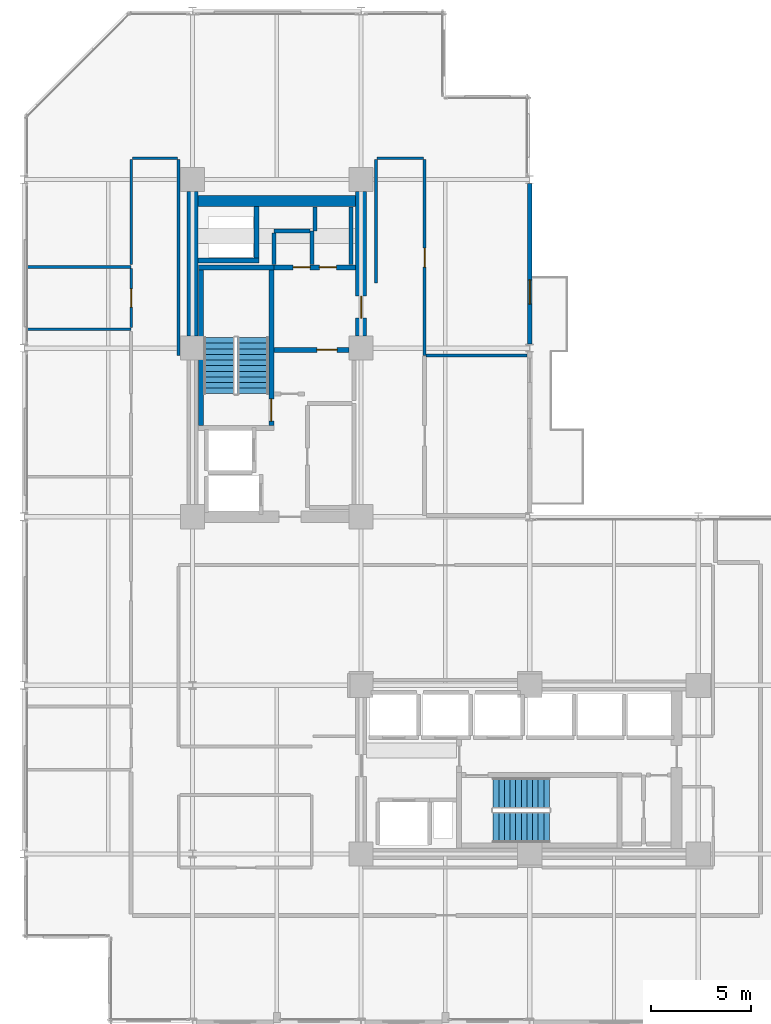
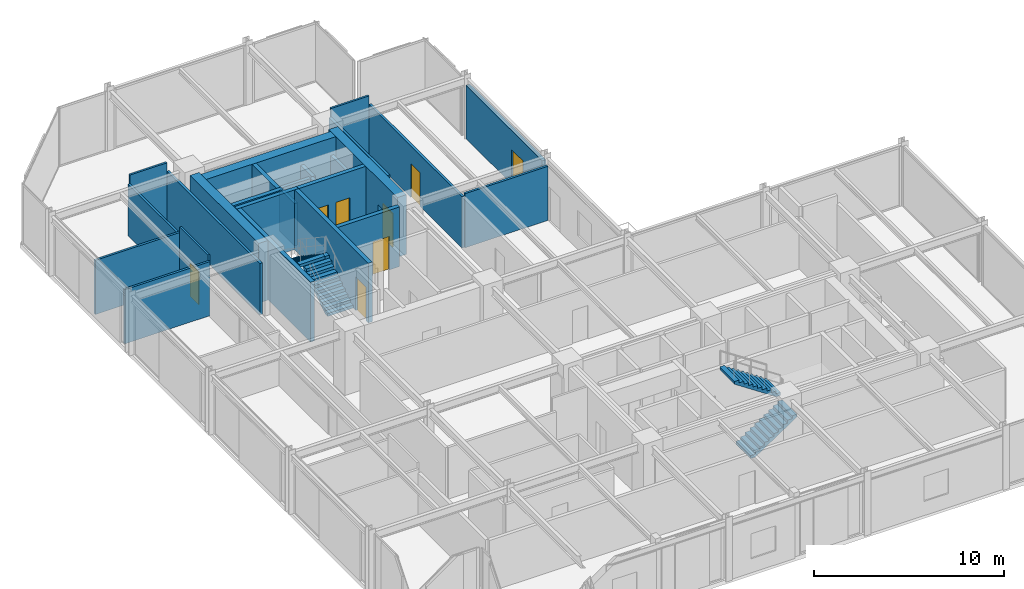
# One storey, part 26 of 29: 26 walls, 8 doors, 4 stair flights, 8 openings, 2 elements without a shape of their own.
"""IFC4 building model written with IfcOpenShell, lengths in metres."""

from ifc_helpers import new_model, si_unit, direction, frame, frame_2d, origin, place, context, subcontext, project, spatial, polyline, rectangle, outline, extrude, material, layer, layer_set, type_object, element, fill, aggregate, save


model = new_model("IFC4")

# Units and contexts
model_context = context("Model", 3, precision=1e-05, world=origin(), true_north=direction((0.0, 1.0)))
body_context = subcontext(model_context, "Body", "Model", "MODEL_VIEW")
ifc_project = project(units=[si_unit("LENGTHUNIT", "METRE"), si_unit("AREAUNIT", "SQUARE_METRE"), si_unit("VOLUMEUNIT", "CUBIC_METRE"), si_unit("PLANEANGLEUNIT", "RADIAN"), si_unit("MASSUNIT", "GRAM", prefix="KILO")], contexts=[model_context])

# Site, building, storey
site_placement = place(None, origin())
site = spatial("IfcSite", under=ifc_project, at=site_placement, CompositionType="ELEMENT")
building_placement = place(site_placement, origin())
building = spatial("IfcBuilding", under=site, at=building_placement, Name="Nerrivon Quay Data Exchange", CompositionType="ELEMENT")
storey_placement = place(building_placement, frame((0.0, 0.0, 137.699951171875)))
storey = spatial("IfcBuildingStorey", under=building, at=storey_placement, Name="L32", CompositionType="ELEMENT", Elevation=137.699951171875)

# Wall, opening, door
ifc_material_1 = material(Name="Architectural terracotta precast concrete N50 (50 MPa)", Category="masonry")
ifc_layer_1 = layer(ifc_material_1, 0.239990234375)
ifc_layer_set_1 = layer_set([ifc_layer_1], Name="Architectural terracotta precast concrete N50 (50 MPa)")
wall_type_1 = type_object("IfcWallType", Name="EW-PREC-240", PredefinedType="STANDARD", material=ifc_layer_set_1)
wall_1_placement = place(storey_placement, frame((25.199951171875, 41.800048828125, 0.0), z_axis=(0.0, 0.0, 1.0), x_axis=(0.0, -1.0, 0.0)))
wall_1 = element("IfcWall", 1, at=wall_1_placement, inside=storey, type_object=wall_type_1, Name="L32 Terrace Host Wall 24", PredefinedType="STANDARD", context=body_context, shape_type="SweptSolid", body=[
    extrude(rectangle(XDim=8.0, YDim=0.239990234375, at=frame_2d((4.0, 0.0))), origin(), (0.0, 0.0, 1.0), 3.422119140625),
])
opening_1_placement = place(wall_1_placement, frame((4.800048828125, 0.0, 0.0)))
opening_1 = element("IfcOpeningElement", 2, at=opening_1_placement, cuts=wall_1, Name="Opening TD1", PredefinedType="OPENING", context=body_context, shape_type="SweptSolid", body=[
    extrude(rectangle(XDim=1.199951171875, YDim=2.199951171875, at=frame_2d((0.60009765625, 1.10009765625))), frame((0.0, 0.1298828125, 0.0), z_axis=(0.0, -1.0, 0.0), x_axis=(1.0, 0.0, 0.0)), (0.0, 0.0, 1.0), 0.260009765625),
])
ifc_material_2 = material(Name="Double-glazed low-E solar control glass", Category="glass")
door_type_1 = type_object("IfcDoorType", Name="DR-TERR-1200x2200", OperationType="NOTDEFINED", PredefinedType="DOOR", material=ifc_material_2)
door_1_placement = place(opening_1_placement, origin())
door_1 = element("IfcDoor", 3, at=door_1_placement, inside=storey, type_object=door_type_1, Name="L32 Outdoor Terrace Access Door 24", OperationType="SINGLE_SWING_LEFT", OverallHeight=2.199951171875, OverallWidth=1.199951171875, PredefinedType="DOOR", context=body_context, shape_type="SweptSolid", body=[
    extrude(rectangle(XDim=1.199951171875, YDim=2.199951171875, at=frame_2d((0.60009765625, 1.10009765625))), frame((0.0, 0.02490234375, 0.0), z_axis=(0.0, -1.0, 0.0), x_axis=(1.0, 0.0, 0.0)), (0.0, 0.0, 1.0), 0.050048828125),
])
fill(opening_1, door_1)

# Walls
ifc_material_3 = material(Name="Concrete S65 (65 MPa)", Category="concrete")
ifc_layer_2 = layer(ifc_material_3, 0.550048828125)
ifc_layer_set_2 = layer_set([ifc_layer_2], Name="Concrete S65 (65 MPa)")
wall_type_2 = type_object("IfcWallType", Name="WALL-CW-700", PredefinedType="SHEAR", material=ifc_layer_set_2)
wall_2_placement = place(storey_placement, frame((8.39990234375, 34.199951171875, 0.0), z_axis=(0.0, 0.0, 1.0), x_axis=(0.0, 1.0, 0.0)))
element("IfcWall", 4, at=wall_2_placement, inside=storey, type_object=wall_type_2, Name="L32 West Split-Core Shear Wall WCW-W2", PredefinedType="SHEAR", context=body_context, shape_type="SweptSolid", body=[
    extrude(rectangle(XDim=7.199951171875, YDim=0.550048828125, at=frame_2d((3.60009765625, 0.0))), origin(), (0.0, 0.0, 1.0), 3.824951171875),
])
wall_3_placement = place(storey_placement, frame((8.675048828125, 40.925048828125, 0.0), z_axis=(0.0, 0.0, 1.0), x_axis=(1.0, 0.0, 0.0)))
element("IfcWall", 5, at=wall_3_placement, inside=storey, type_object=wall_type_2, Name="L32 West Split-Core Shear Wall WCW-N1", PredefinedType="SHEAR", context=body_context, shape_type="SweptSolid", body=[
    extrude(rectangle(XDim=7.849853515625, YDim=0.550048828125, at=frame_2d((3.9248046875, 0.0))), origin(), (0.0, 0.0, 1.0), 3.824951171875),
])

# Wall, opening, door
wall_4_placement = place(storey_placement, frame((16.800048828125, 34.199951171875, 0.0), z_axis=(0.0, 0.0, 1.0), x_axis=(0.0, 1.0, 0.0)))
wall_4 = element("IfcWall", 6, at=wall_4_placement, inside=storey, type_object=wall_type_2, Name="L32 West Split-Core Shear Wall WCW-E1", PredefinedType="SHEAR", context=body_context, shape_type="SweptSolid", body=[
    extrude(rectangle(XDim=7.199951171875, YDim=0.550048828125, at=frame_2d((3.60009765625, 0.0))), origin(), (0.0, 0.0, 1.0), 3.824951171875),
])
opening_2_placement = place(wall_4_placement, frame((0.89990234375, 0.0, 0.0)))
opening_2 = element("IfcOpeningElement", 7, at=opening_2_placement, cuts=wall_4, Name="Opening FD-120", PredefinedType="OPENING", context=body_context, shape_type="SweptSolid", body=[
    extrude(rectangle(XDim=1.10009765625, YDim=2.14990234375, at=frame_2d((0.550048828125, 1.074951171875))), frame((0.0, 0.284912109375, 0.0), z_axis=(0.0, -1.0, 0.0), x_axis=(1.0, 0.0, 0.0)), (0.0, 0.0, 1.0), 0.570068359375),
])
ifc_material_4 = material(Name="Powder-coated galvanized steel sheet", Category="steel")
door_type_2 = type_object("IfcDoorType", Name="DR-FD120-1100", OperationType="NOTDEFINED", PredefinedType="DOOR", material=ifc_material_4)
door_2_placement = place(opening_2_placement, origin())
door_2 = element("IfcDoor", 8, at=door_2_placement, inside=storey, type_object=door_type_2, Name="L32 West Core Lobby Fire Door", OperationType="SINGLE_SWING_LEFT", OverallHeight=2.14990234375, OverallWidth=1.10009765625, PredefinedType="DOOR", context=body_context, shape_type="SweptSolid", body=[
    extrude(rectangle(XDim=1.10009765625, YDim=2.14990234375, at=frame_2d((0.550048828125, 1.074951171875))), frame((0.0, 0.02490234375, 0.0), z_axis=(0.0, -1.0, 0.0), x_axis=(1.0, 0.0, 0.0)), (0.0, 0.0, 1.0), 0.050048828125),
])
fill(opening_2, door_2)

# Walls
ifc_material_5 = material(Name="Gypsum plasterboard on cold-formed framing", Category="gypsum")
ifc_layer_3 = layer(ifc_material_5, 0.199951171875)
ifc_layer_set_3 = layer_set([ifc_layer_3], Name="Gypsum plasterboard on cold-formed framing")
wall_type_3 = type_object("IfcWallType", Name="WALL-FW-200", PredefinedType="PARTITIONING", material=ifc_layer_set_3)
wall_5_placement = place(storey_placement, frame((14.35009765625, 37.780029296875, 0.0), z_axis=(0.0, 0.0, 1.0), x_axis=(0.0, 1.0, 0.0)))
element("IfcWall", 9, at=wall_5_placement, inside=storey, type_object=wall_type_3, Name="L32 Partition Equipment Store", PredefinedType="PARTITIONING", context=body_context, shape_type="SweptSolid", body=[
    extrude(rectangle(XDim=1.669921875, YDim=0.199951171875, at=frame_2d((0.8349609375, 0.0))), origin(), (0.0, 0.0, 1.0), 2.72509765625),
])
wall_6_placement = place(storey_placement, frame((14.24609375, 39.449951171875, 0.0), z_axis=(0.0, 0.0, 1.0), x_axis=(-1.0, 0.0, 0.0)))
element("IfcWall", 10, at=wall_6_placement, inside=storey, type_object=wall_type_3, Name="L32 Partition Equipment Store", PredefinedType="PARTITIONING", context=body_context, shape_type="SweptSolid", body=[
    extrude(rectangle(XDim=1.796142578125, YDim=0.199951171875, at=frame_2d((0.89794921875, 0.0))), origin(), (0.0, 0.0, 1.0), 2.72509765625),
])
wall_7_placement = place(storey_placement, frame((12.449951171875, 39.345947265625, 0.0), z_axis=(0.0, 0.0, 1.0), x_axis=(0.0, -1.0, 0.0)))
element("IfcWall", 11, at=wall_7_placement, inside=storey, type_object=wall_type_3, Name="L32 Partition Equipment Store", PredefinedType="PARTITIONING", context=body_context, shape_type="SweptSolid", body=[
    extrude(rectangle(XDim=1.56591796875, YDim=0.199951171875, at=frame_2d((0.782958984375, 0.0))), origin(), (0.0, 0.0, 1.0), 2.72509765625),
])
wall_8_placement = place(storey_placement, frame((16.300048828125, 37.780029296875, 0.0), z_axis=(0.0, 0.0, 1.0), x_axis=(0.0, 1.0, 0.0)))
element("IfcWall", 12, at=wall_8_placement, inside=storey, type_object=wall_type_3, Name="L32 Partition Cleaners Store", PredefinedType="PARTITIONING", context=body_context, shape_type="SweptSolid", body=[
    extrude(rectangle(XDim=2.865966796875, YDim=0.199951171875, at=frame_2d((1.43310546875, 0.0))), origin(), (0.0, 0.0, 1.0), 2.72509765625),
])
wall_9_placement = place(storey_placement, frame((14.489990234375, 40.64599609375, 0.0), z_axis=(0.0, 0.0, 1.0), x_axis=(0.0, -1.0, 0.0)))
element("IfcWall", 13, at=wall_9_placement, inside=storey, type_object=wall_type_3, Name="L32 Partition Cleaners Store", PredefinedType="PARTITIONING", context=body_context, shape_type="SweptSolid", body=[
    extrude(rectangle(XDim=1.196044921875, YDim=0.199951171875, at=frame_2d((0.59814453125, 0.0))), origin(), (0.0, 0.0, 1.0), 2.72509765625),
])

# Wall, opening, door
ifc_layer_4 = layer(ifc_material_5, 0.1201171875)
ifc_layer_set_4 = layer_set([ifc_layer_4], Name="Gypsum plasterboard on cold-formed framing")
wall_type_4 = type_object("IfcWallType", Name="WALL-PT-120", PredefinedType="PARTITIONING", material=ifc_layer_set_4)
wall_10_placement = place(storey_placement, frame((5.340087890625, 34.62158203125, 0.0), z_axis=(0.0, 0.0, 1.0), x_axis=(0.0, 1.0, 0.0)))
wall_10 = element("IfcWall", 14, at=wall_10_placement, inside=storey, type_object=wall_type_4, Name="L32 Partition Public Washrooms", PredefinedType="PARTITIONING", context=body_context, shape_type="SweptSolid", body=[
    extrude(rectangle(XDim=2.95703125, YDim=0.1201171875, at=frame_2d((1.478515625, 0.0))), origin(), (0.0, 0.0, 1.0), 3.824951171875),
])
opening_3_placement = place(wall_10_placement, frame((1.0185546875, 0.0, 0.0)))
opening_3 = element("IfcOpeningElement", 15, at=opening_3_placement, cuts=wall_10, Name="Opening D-WC", PredefinedType="OPENING", context=body_context, shape_type="SweptSolid", body=[
    extrude(rectangle(XDim=0.919921875, YDim=2.10009765625, at=frame_2d((0.4599609375, 1.050048828125))), frame((0.0, 0.070068359375, 0.0), z_axis=(0.0, -1.0, 0.0), x_axis=(1.0, 0.0, 0.0)), (0.0, 0.0, 1.0), 0.14013671875),
])
ifc_material_6 = material(Name="Engineered hardwood timber", Category="wood")
door_type_3 = type_object("IfcDoorType", Name="DR-WC-920", OperationType="NOTDEFINED", PredefinedType="DOOR", material=ifc_material_6)
door_3_placement = place(opening_3_placement, origin())
door_3 = element("IfcDoor", 16, at=door_3_placement, inside=storey, type_object=door_type_3, Name="L32 Door Public Washrooms", OperationType="SINGLE_SWING_RIGHT", OverallHeight=2.10009765625, OverallWidth=0.919921875, PredefinedType="DOOR", context=body_context, shape_type="SweptSolid", body=[
    extrude(rectangle(XDim=0.919921875, YDim=2.10009765625, at=frame_2d((0.4599609375, 1.050048828125))), frame((0.0, 0.02490234375, 0.0), z_axis=(0.0, -1.0, 0.0), x_axis=(1.0, 0.0, 0.0)), (0.0, 0.0, 1.0), 0.050048828125),
])
fill(opening_3, door_3)

# Walls
wall_11_placement = place(storey_placement, frame((5.39990234375, 43.06005859375, 0.0), z_axis=(0.0, 0.0, 1.0), x_axis=(1.0, 0.0, 0.0)))
element("IfcWall", 17, at=wall_11_placement, inside=storey, type_object=wall_type_4, Name="L32 Partition Technical Library", PredefinedType="PARTITIONING", context=body_context, shape_type="SweptSolid", body=[
    extrude(rectangle(XDim=2.25, YDim=0.1201171875, at=frame_2d((1.125, 0.0))), origin(), (0.0, 0.0, 1.0), 3.824951171875),
])
wall_12_placement = place(storey_placement, frame((17.60009765625, 43.06005859375, 0.0), z_axis=(0.0, 0.0, 1.0), x_axis=(1.0, 0.0, 0.0)))
element("IfcWall", 18, at=wall_12_placement, inside=storey, type_object=wall_type_4, Name="L32 Partition Technical Library", PredefinedType="PARTITIONING", context=body_context, shape_type="SweptSolid", body=[
    extrude(rectangle(XDim=2.2998046875, YDim=0.1201171875, at=frame_2d((1.14990234375, 0.0))), origin(), (0.0, 0.0, 1.0), 3.824951171875),
])
ifc_layer_5 = layer(ifc_material_5, 0.135009765625)
ifc_layer_set_5 = layer_set([ifc_layer_5], Name="Gypsum plasterboard on cold-formed framing")
wall_type_5 = type_object("IfcWallType", Name="WALL-PT-135", PredefinedType="PARTITIONING", material=ifc_layer_set_5)
for number, where, z_axis, x_axis, name in (
    (19, (5.340087890625, 37.64990234375, 0.0), (0.0, 0.0, 1.0), (-1.0, 0.0, 0.0), "L32 Partition Public Washrooms"),
    (20, (0.1689453125, 34.550048828125, 0.0), (0.0, 0.0, 1.0), (1.0, 0.0, 0.0), "L32 Partition Public Washrooms"),
):
    element("IfcWall", number, at=place(storey_placement, frame(where, z_axis=z_axis, x_axis=x_axis)), inside=storey, type_object=wall_type_5, Name=name, PredefinedType="PARTITIONING", context=body_context, shape_type="SweptSolid", body=[
        extrude(rectangle(XDim=5.171142578125, YDim=0.135009765625, at=frame_2d((2.58544921875, 0.0))), origin(), (0.0, 0.0, 1.0), 3.468994140625),
    ])
wall_13_placement = place(storey_placement, frame((20.0390625, 33.23193359375, 0.0), z_axis=(0.0, 0.0, 1.0), x_axis=(1.0, 0.0, 0.0)))
element("IfcWall", 21, at=wall_13_placement, inside=storey, type_object=wall_type_5, Name="L32 Partition Technical Library", PredefinedType="PARTITIONING", context=body_context, shape_type="SweptSolid", body=[
    extrude(rectangle(XDim=5.036865234375, YDim=0.135009765625, at=frame_2d((2.5185546875, 0.0))), origin(), (0.0, 0.0, 1.0), 3.468994140625),
])
wall_14_placement = place(storey_placement, frame((5.340087890625, 37.77001953125, 0.0), z_axis=(0.0, 0.0, 1.0), x_axis=(0.0, 1.0, 0.0)))
element("IfcWall", 22, at=wall_14_placement, inside=storey, type_object=wall_type_5, Name="L32 Partition Technical Library", PredefinedType="PARTITIONING", context=body_context, shape_type="SweptSolid", body=[
    extrude(rectangle(XDim=5.22998046875, YDim=0.135009765625, at=frame_2d((2.614990234375, 0.0))), origin(), (0.0, 0.0, 1.0), 3.2919921875),
])

# Wall, opening, door
ifc_layer_6 = layer(ifc_material_5, 0.14990234375)
ifc_layer_set_6 = layer_set([ifc_layer_6], Name="Gypsum plasterboard on cold-formed framing")
wall_type_6 = type_object("IfcWallType", Name="WALL-PT-150", PredefinedType="PARTITIONING", material=ifc_layer_set_6)
wall_15_placement = place(storey_placement, frame((19.9599609375, 43.0, 0.0), z_axis=(0.0, 0.0, 1.0), x_axis=(0.0, -1.0, 0.0)))
wall_15 = element("IfcWall", 23, at=wall_15_placement, inside=storey, type_object=wall_type_6, Name="L32 Partition Technical Library", PredefinedType="PARTITIONING", context=body_context, shape_type="SweptSolid", body=[
    extrude(rectangle(XDim=9.76806640625, YDim=0.14990234375, at=frame_2d((4.884033203125, 0.0))), origin(), (0.0, 0.0, 1.0), 3.2919921875),
])
opening_4_placement = place(wall_15_placement, frame((4.408935546875, 0.0, 0.0)))
opening_4 = element("IfcOpeningElement", 24, at=opening_4_placement, cuts=wall_15, Name="Opening D-01", PredefinedType="OPENING", context=body_context, shape_type="SweptSolid", body=[
    extrude(rectangle(XDim=0.949951171875, YDim=2.14990234375, at=frame_2d((0.47509765625, 1.074951171875))), frame((0.0, 0.0849609375, 0.0), z_axis=(0.0, -1.0, 0.0), x_axis=(1.0, 0.0, 0.0)), (0.0, 0.0, 1.0), 0.169921875),
])
door_type_4 = type_object("IfcDoorType", Name="DR-INT-950", OperationType="NOTDEFINED", PredefinedType="DOOR", material=ifc_material_6)
door_4_placement = place(opening_4_placement, origin())
door_4 = element("IfcDoor", 25, at=door_4_placement, inside=storey, type_object=door_type_4, Name="L32 Door Technical Library", OperationType="SINGLE_SWING_RIGHT", OverallHeight=2.14990234375, OverallWidth=0.949951171875, PredefinedType="DOOR", context=body_context, shape_type="SweptSolid", body=[
    extrude(rectangle(XDim=0.949951171875, YDim=2.14990234375, at=frame_2d((0.47509765625, 1.074951171875))), frame((0.0, 0.02490234375, 0.0), z_axis=(0.0, -1.0, 0.0), x_axis=(1.0, 0.0, 0.0)), (0.0, 0.0, 1.0), 0.050048828125),
])
fill(opening_4, door_4)

# Walls
wall_16_placement = place(storey_placement, frame((7.7099609375, 43.0, 0.0), z_axis=(0.0, 0.0, 1.0), x_axis=(0.0, -1.0, 0.0)))
element("IfcWall", 26, at=wall_16_placement, inside=storey, type_object=wall_type_6, Name="L32 Partition Technical Library", PredefinedType="PARTITIONING", context=body_context, shape_type="SweptSolid", body=[
    extrude(rectangle(XDim=9.76806640625, YDim=0.14990234375, at=frame_2d((4.884033203125, 0.0))), origin(), (0.0, 0.0, 1.0), 3.2919921875),
])
wall_17_placement = place(storey_placement, frame((17.5400390625, 36.860107421875, 0.0), z_axis=(0.0, 0.0, 1.0), x_axis=(0.0, 1.0, 0.0)))
element("IfcWall", 27, at=wall_17_placement, inside=storey, type_object=wall_type_6, Name="L32 Partition Technical Library", PredefinedType="PARTITIONING", context=body_context, shape_type="SweptSolid", body=[
    extrude(rectangle(XDim=6.139892578125, YDim=0.14990234375, at=frame_2d((3.06982421875, 0.0))), origin(), (0.0, 0.0, 1.0), 3.2919921875),
])
ifc_material_7 = material(Name="Concrete N50 (50 MPa)", Category="concrete")
ifc_layer_7 = layer(ifc_material_7, 0.25)
ifc_layer_set_7 = layer_set([ifc_layer_7], Name="Concrete N50 (50 MPa)")
wall_type_7 = type_object("IfcWallType", Name="WALL-SW-250", PredefinedType="SHEAR", material=ifc_layer_set_7)
wall_18_placement = place(storey_placement, frame((12.449951171875, 37.625, 0.0), z_axis=(0.0, 0.0, 1.0), x_axis=(-1.0, 0.0, 0.0)))
element("IfcWall", 28, at=wall_18_placement, inside=storey, type_object=wall_type_7, Name="L32 ST01 Structural Stair Core Wall FAR", PredefinedType="SHEAR", context=body_context, shape_type="SweptSolid", body=[
    extrude(rectangle(XDim=3.75, YDim=0.25, at=frame_2d((1.875, 0.0))), origin(), (0.0, 0.0, 1.0), 3.824951171875),
])

# Wall, opening, door
wall_19_placement = place(storey_placement, frame((12.324951171875, 29.75, 0.0), z_axis=(0.0, 0.0, 1.0), x_axis=(0.0, 1.0, 0.0)))
wall_19 = element("IfcWall", 29, at=wall_19_placement, inside=storey, type_object=wall_type_7, Name="L32 ST01 Structural Stair Core Wall LEFT", PredefinedType="SHEAR", context=body_context, shape_type="SweptSolid", body=[
    extrude(rectangle(XDim=7.75, YDim=0.25, at=frame_2d((3.875, 0.0))), origin(), (0.0, 0.0, 1.0), 3.824951171875),
])
opening_5_placement = place(wall_19_placement, frame((0.219970703125, 0.0, 0.0)))
opening_5 = element("IfcOpeningElement", 30, at=opening_5_placement, cuts=wall_19, Name="Opening FD-120", PredefinedType="OPENING", context=body_context, shape_type="SweptSolid", body=[
    extrude(rectangle(XDim=1.10009765625, YDim=2.14990234375, at=frame_2d((0.550048828125, 1.074951171875))), frame((0.0, 0.135009765625, 0.0), z_axis=(0.0, -1.0, 0.0), x_axis=(1.0, 0.0, 0.0)), (0.0, 0.0, 1.0), 0.27001953125),
])
door_5_placement = place(opening_5_placement, origin())
door_5 = element("IfcDoor", 31, at=door_5_placement, inside=storey, type_object=door_type_2, Name="L32 Protected Stair Door ST01", OperationType="SINGLE_SWING_LEFT", OverallHeight=2.14990234375, OverallWidth=1.10009765625, PredefinedType="DOOR", context=body_context, shape_type="SweptSolid", body=[
    extrude(rectangle(XDim=1.10009765625, YDim=2.14990234375, at=frame_2d((0.550048828125, 1.074951171875))), frame((0.0, 0.02490234375, 0.0), z_axis=(0.0, -1.0, 0.0), x_axis=(1.0, 0.0, 0.0)), (0.0, 0.0, 1.0), 0.050048828125),
])
fill(opening_5, door_5)

# Walls
wall_20_placement = place(storey_placement, frame((8.824951171875, 29.75, 0.0), z_axis=(0.0, 0.0, 1.0), x_axis=(0.0, 1.0, 0.0)))
element("IfcWall", 32, at=wall_20_placement, inside=storey, type_object=wall_type_7, Name="L32 ST01 Structural Stair Core Wall RIGHT", PredefinedType="SHEAR", context=body_context, shape_type="SweptSolid", body=[
    extrude(rectangle(XDim=7.75, YDim=0.25, at=frame_2d((3.875, 0.0))), origin(), (0.0, 0.0, 1.0), 3.824951171875),
])
wall_21_placement = place(storey_placement, frame((8.675048828125, 37.97509765625, 0.0), z_axis=(0.0, 0.0, 1.0), x_axis=(1.0, 0.0, 0.0)))
element("IfcWall", 33, at=wall_21_placement, inside=storey, type_object=wall_type_7, Name="L32 West Core MEP Riser Shaft Wall S", PredefinedType="SHEAR", context=body_context, shape_type="SweptSolid", body=[
    extrude(rectangle(XDim=3.02490234375, YDim=0.25, at=frame_2d((1.512451171875, 0.0))), origin(), (0.0, 0.0, 1.0), 3.824951171875),
])
wall_22_placement = place(storey_placement, frame((11.574951171875, 38.10009765625, 0.0), z_axis=(0.0, 0.0, 1.0), x_axis=(0.0, 1.0, 0.0)))
element("IfcWall", 34, at=wall_22_placement, inside=storey, type_object=wall_type_7, Name="L32 West Core MEP Riser Shaft Wall E", PredefinedType="SHEAR", context=body_context, shape_type="SweptSolid", body=[
    extrude(rectangle(XDim=2.5498046875, YDim=0.25, at=frame_2d((1.27490234375, 0.0))), origin(), (0.0, 0.0, 1.0), 3.824951171875),
])

# Wall, opening, door
wall_23_placement = place(storey_placement, frame((12.449951171875, 33.52001953125, 0.0), z_axis=(0.0, 0.0, 1.0), x_axis=(1.0, 0.0, 0.0)))
wall_23 = element("IfcWall", 35, at=wall_23_placement, inside=storey, type_object=wall_type_7, Name="L32 West Lobby Smoke-Stop Wall", PredefinedType="SHEAR", context=body_context, shape_type="SweptSolid", body=[
    extrude(rectangle(XDim=3.75, YDim=0.25, at=frame_2d((1.875, 0.0))), origin(), (0.0, 0.0, 1.0), 3.824951171875),
])
opening_6_placement = place(wall_23_placement, frame((2.14990234375, 0.0, 0.0)))
opening_6 = element("IfcOpeningElement", 36, at=opening_6_placement, cuts=wall_23, Name="Opening FD-60", PredefinedType="OPENING", context=body_context, shape_type="SweptSolid", body=[
    extrude(rectangle(XDim=1.0, YDim=2.14990234375, at=frame_2d((0.5, 1.074951171875))), frame((0.0, 0.135009765625, 0.0), z_axis=(0.0, -1.0, 0.0), x_axis=(1.0, 0.0, 0.0)), (0.0, 0.0, 1.0), 0.27001953125),
])
door_type_5 = type_object("IfcDoorType", Name="DR-FD60-1000", OperationType="NOTDEFINED", PredefinedType="DOOR", material=ifc_material_6)
door_6_placement = place(opening_6_placement, origin())
door_6 = element("IfcDoor", 37, at=door_6_placement, inside=storey, type_object=door_type_5, Name="L32 West Firefighting Lobby Fire Door", OperationType="SINGLE_SWING_LEFT", OverallHeight=2.14990234375, OverallWidth=1.0, PredefinedType="DOOR", context=body_context, shape_type="SweptSolid", body=[
    extrude(rectangle(XDim=1.0, YDim=2.14990234375, at=frame_2d((0.5, 1.074951171875))), frame((0.0, 0.02490234375, 0.0), z_axis=(0.0, -1.0, 0.0), x_axis=(1.0, 0.0, 0.0)), (0.0, 0.0, 1.0), 0.050048828125),
])
fill(opening_6, door_6)

# Wall, openings, doors
wall_24_placement = place(storey_placement, frame((12.449951171875, 37.625, 0.0), z_axis=(0.0, 0.0, 1.0), x_axis=(1.0, 0.0, 0.0)))
wall_24 = element("IfcWall", 38, at=wall_24_placement, inside=storey, type_object=wall_type_7, Name="L32 West Firefighting Lobby Wall", PredefinedType="SHEAR", context=body_context, shape_type="SweptSolid", body=[
    extrude(rectangle(XDim=4.074951171875, YDim=0.25, at=frame_2d((2.03759765625, 0.0))), origin(), (0.0, 0.0, 1.0), 3.824951171875),
])
opening_7_placement = place(wall_24_placement, frame((0.96044921875, 0.0, 0.0)))
opening_7 = element("IfcOpeningElement", 39, at=opening_7_placement, cuts=wall_24, Name="Opening FD-60S", PredefinedType="OPENING", context=body_context, shape_type="SweptSolid", body=[
    extrude(rectangle(XDim=0.85009765625, YDim=2.14990234375, at=frame_2d((0.425048828125, 1.074951171875))), frame((0.0, 0.135009765625, 0.0), z_axis=(0.0, -1.0, 0.0), x_axis=(1.0, 0.0, 0.0)), (0.0, 0.0, 1.0), 0.27001953125),
])
opening_8_placement = place(wall_24_placement, frame((2.264404296875, 0.0, 0.0)))
opening_8 = element("IfcOpeningElement", 40, at=opening_8_placement, cuts=wall_24, Name="Opening FD-60S", PredefinedType="OPENING", context=body_context, shape_type="SweptSolid", body=[
    extrude(rectangle(XDim=0.85009765625, YDim=2.14990234375, at=frame_2d((0.425048828125, 1.074951171875))), frame((0.0, 0.135009765625, 0.0), z_axis=(0.0, -1.0, 0.0), x_axis=(1.0, 0.0, 0.0)), (0.0, 0.0, 1.0), 0.27001953125),
])
door_type_6 = type_object("IfcDoorType", Name="DR-FD60-850", OperationType="NOTDEFINED", PredefinedType="DOOR", material=ifc_material_6)
door_7_placement = place(opening_7_placement, origin())
door_7 = element("IfcDoor", 41, at=door_7_placement, inside=storey, type_object=door_type_6, Name="L32 Door Equipment Store", OperationType="SINGLE_SWING_LEFT", OverallHeight=2.14990234375, OverallWidth=0.85009765625, PredefinedType="DOOR", context=body_context, shape_type="SweptSolid", body=[
    extrude(rectangle(XDim=0.85009765625, YDim=2.14990234375, at=frame_2d((0.425048828125, 1.074951171875))), frame((0.0, 0.02490234375, 0.0), z_axis=(0.0, -1.0, 0.0), x_axis=(1.0, 0.0, 0.0)), (0.0, 0.0, 1.0), 0.050048828125),
])
fill(opening_7, door_7)
door_8_placement = place(opening_8_placement, origin())
door_8 = element("IfcDoor", 42, at=door_8_placement, inside=storey, type_object=door_type_6, Name="L32 Door Cleaners Store", OperationType="SINGLE_SWING_RIGHT", OverallHeight=2.14990234375, OverallWidth=0.85009765625, PredefinedType="DOOR", context=body_context, shape_type="SweptSolid", body=[
    extrude(rectangle(XDim=0.85009765625, YDim=2.14990234375, at=frame_2d((0.425048828125, 1.074951171875))), frame((0.0, 0.02490234375, 0.0), z_axis=(0.0, -1.0, 0.0), x_axis=(1.0, 0.0, 0.0)), (0.0, 0.0, 1.0), 0.050048828125),
])
fill(opening_8, door_8)

# Stair, stair flights
stair_type = type_object("IfcStairType", Name="STAIR-DOG-41", PredefinedType="HALF_TURN_STAIR", material=ifc_material_7)
stair_1_placement = place(storey_placement, origin())
stair_1 = element("IfcStair", 43, at=stair_1_placement, inside=storey, type_object=stair_type, Name="L32 West Core Fire Stair ST01", PredefinedType="HALF_TURN_STAIR")
stair_flight_type = type_object("IfcStairFlightType", Name="FLIGHT-DOG-41", PredefinedType="STRAIGHT", material=ifc_material_7)
stair_flight_1_placement = place(storey_placement, frame((11.425048828125, 31.330078125, 0.0), z_axis=(0.0, 0.0, 1.0), x_axis=(0.0, 1.0, 0.0)))
stair_flight_1 = element("IfcStairFlight", 44, at=stair_flight_1_placement, type_object=stair_flight_type, Name="ST01 flight 1", NumberOfRisers=11, NumberOfTreads=10, PredefinedType="STRAIGHT", RiserHeight=0.186363636, TreadLength=0.28, context=body_context, shape_type="SweptSolid", body=[
    extrude(outline(polyline([(0.0, 0.0), (0.0, 0.186279296875), (0.280029296875, 0.186279296875), (0.280029296875, 0.372802734375), (0.56005859375, 0.372802734375), (0.56005859375, 0.55908203125), (0.840087890625, 0.55908203125), (0.840087890625, 0.745361328125), (1.1201171875, 0.745361328125), (1.1201171875, 0.931884765625), (1.39990234375, 0.931884765625), (1.39990234375, 1.1181640625), (1.679931640625, 1.1181640625), (1.679931640625, 1.304443359375), (1.9599609375, 1.304443359375), (1.9599609375, 1.490966796875), (2.239990234375, 1.490966796875), (2.239990234375, 1.67724609375), (2.52001953125, 1.67724609375), (2.52001953125, 1.863525390625), (2.800048828125, 1.863525390625), (2.800048828125, 2.050048828125), (2.800048828125, 1.68359375), (0.2705078125, 0.0), (0.0, 0.0)])), frame((0.0, 0.77490234375, 0.0), z_axis=(0.0, -1.0, 0.0), x_axis=(1.0, 0.0, 0.0)), (0.0, 0.0, 1.0), 1.550048828125),
])
stair_flight_2_placement = place(storey_placement, frame((9.72509765625, 34.1298828125, 2.050048828125), z_axis=(0.0, 0.0, 1.0), x_axis=(0.0, -1.0, 0.0)))
stair_flight_2 = element("IfcStairFlight", 45, at=stair_flight_2_placement, type_object=stair_flight_type, Name="ST01 flight 2", NumberOfRisers=11, NumberOfTreads=10, PredefinedType="STRAIGHT", RiserHeight=0.186363636, TreadLength=0.28, context=body_context, shape_type="SweptSolid", body=[
    extrude(outline(polyline([(0.0, 0.0), (0.0, 0.186279296875), (0.280029296875, 0.186279296875), (0.280029296875, 0.372802734375), (0.56005859375, 0.372802734375), (0.56005859375, 0.55908203125), (0.840087890625, 0.55908203125), (0.840087890625, 0.745361328125), (1.1201171875, 0.745361328125), (1.1201171875, 0.931884765625), (1.39990234375, 0.931884765625), (1.39990234375, 1.1181640625), (1.679931640625, 1.1181640625), (1.679931640625, 1.304443359375), (1.9599609375, 1.304443359375), (1.9599609375, 1.490966796875), (2.239990234375, 1.490966796875), (2.239990234375, 1.67724609375), (2.52001953125, 1.67724609375), (2.52001953125, 1.863525390625), (2.800048828125, 1.863525390625), (2.800048828125, 2.050048828125), (2.800048828125, 1.68359375), (0.2705078125, 0.0), (0.0, 0.0)])), frame((0.0, 0.77490234375, 0.0), z_axis=(0.0, -1.0, 0.0), x_axis=(1.0, 0.0, 0.0)), (0.0, 0.0, 1.0), 1.550048828125),
])
aggregate(stair_1, [stair_flight_1, stair_flight_2])

stair_2_placement = place(storey_placement, origin())
stair_2 = element("IfcStair", 46, at=stair_2_placement, inside=storey, type_object=stair_type, Name="L32 East Core Fire Stair ST02", PredefinedType="HALF_TURN_STAIR")
stair_flight_3_placement = place(storey_placement, frame((23.3798828125, 9.72509765625, 0.0), z_axis=(0.0, 0.0, 1.0), x_axis=(1.0, 0.0, 0.0)))
stair_flight_3 = element("IfcStairFlight", 47, at=stair_flight_3_placement, type_object=stair_flight_type, Name="ST02 flight 1", NumberOfRisers=11, NumberOfTreads=10, PredefinedType="STRAIGHT", RiserHeight=0.186363636, TreadLength=0.28, context=body_context, shape_type="SweptSolid", body=[
    extrude(outline(polyline([(0.0, 0.0), (0.0, 0.186279296875), (0.280029296875, 0.186279296875), (0.280029296875, 0.372802734375), (0.56005859375, 0.372802734375), (0.56005859375, 0.55908203125), (0.840087890625, 0.55908203125), (0.840087890625, 0.745361328125), (1.1201171875, 0.745361328125), (1.1201171875, 0.931884765625), (1.39990234375, 0.931884765625), (1.39990234375, 1.1181640625), (1.679931640625, 1.1181640625), (1.679931640625, 1.304443359375), (1.9599609375, 1.304443359375), (1.9599609375, 1.490966796875), (2.239990234375, 1.490966796875), (2.239990234375, 1.67724609375), (2.52001953125, 1.67724609375), (2.52001953125, 1.863525390625), (2.800048828125, 1.863525390625), (2.800048828125, 2.050048828125), (2.800048828125, 1.68359375), (0.2705078125, 0.0), (0.0, 0.0)])), frame((0.0, 0.77490234375, 0.0), z_axis=(0.0, -1.0, 0.0), x_axis=(1.0, 0.0, 0.0)), (0.0, 0.0, 1.0), 1.550048828125),
])
stair_flight_4_placement = place(storey_placement, frame((26.179931640625, 11.425048828125, 2.050048828125), z_axis=(0.0, 0.0, 1.0), x_axis=(-1.0, 0.0, 0.0)))
stair_flight_4 = element("IfcStairFlight", 48, at=stair_flight_4_placement, type_object=stair_flight_type, Name="ST02 flight 2", NumberOfRisers=11, NumberOfTreads=10, PredefinedType="STRAIGHT", RiserHeight=0.186363636, TreadLength=0.28, context=body_context, shape_type="SweptSolid", body=[
    extrude(outline(polyline([(0.0, 0.0), (0.0, 0.186279296875), (0.280029296875, 0.186279296875), (0.280029296875, 0.372802734375), (0.56005859375, 0.372802734375), (0.56005859375, 0.55908203125), (0.840087890625, 0.55908203125), (0.840087890625, 0.745361328125), (1.1201171875, 0.745361328125), (1.1201171875, 0.931884765625), (1.39990234375, 0.931884765625), (1.39990234375, 1.1181640625), (1.679931640625, 1.1181640625), (1.679931640625, 1.304443359375), (1.9599609375, 1.304443359375), (1.9599609375, 1.490966796875), (2.239990234375, 1.490966796875), (2.239990234375, 1.67724609375), (2.52001953125, 1.67724609375), (2.52001953125, 1.863525390625), (2.800048828125, 1.863525390625), (2.800048828125, 2.050048828125), (2.800048828125, 1.68359375), (0.2705078125, 0.0), (0.0, 0.0)])), frame((0.0, 0.77490234375, 0.0), z_axis=(0.0, -1.0, 0.0), x_axis=(1.0, 0.0, 0.0)), (0.0, 0.0, 1.0), 1.550048828125),
])
aggregate(stair_2, [stair_flight_3, stair_flight_4])

save(model, "model.ifc")
